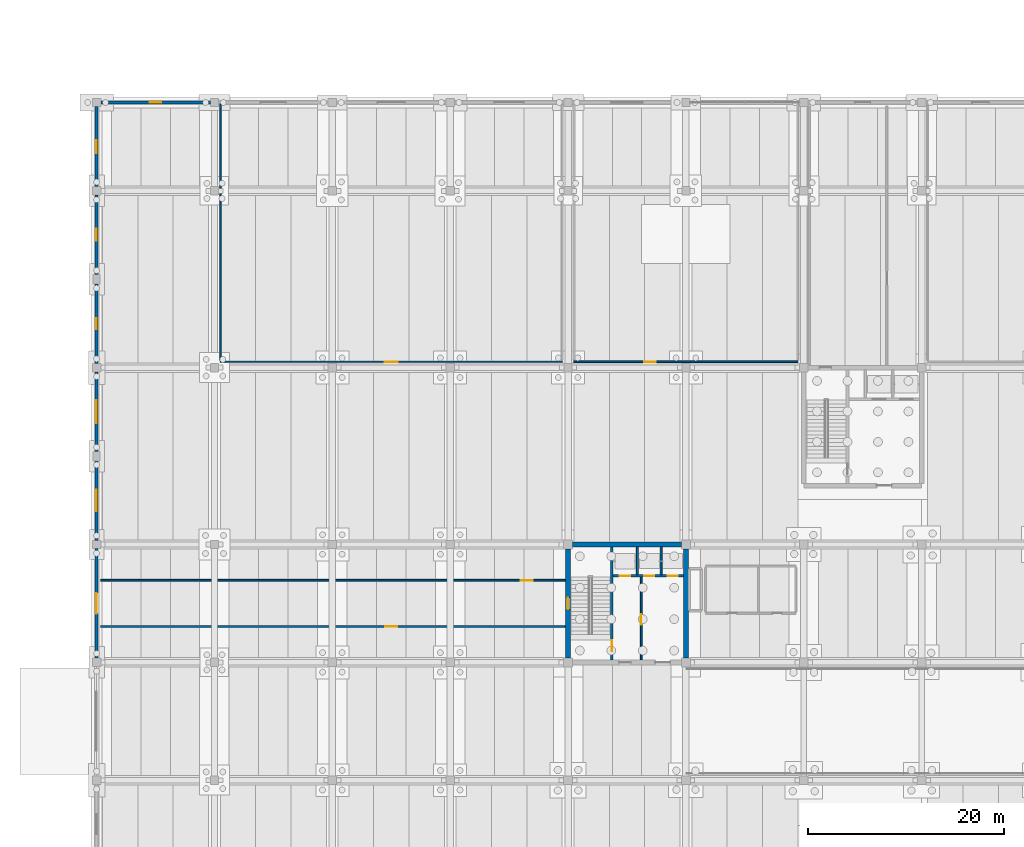
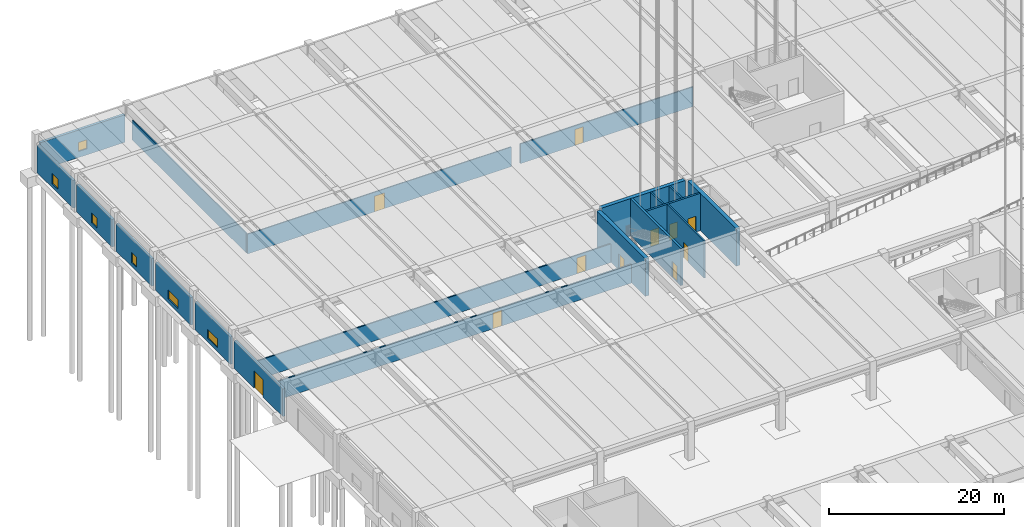
# One storey, part 27 of 59: 20 walls, 11 doors, 6 windows, 17 openings.
"""IFC4 building model written with IfcOpenShell, lengths in metres."""

from ifc_helpers import new_model, si_unit, direction, frame, frame_2d, origin, place, context, subcontext, project, spatial, rectangle, extrude, material, layer, layer_set, type_object, element, fill, save


model = new_model("IFC4")

# Units and contexts
model_context = context("Model", 3, precision=1e-05, world=origin(), true_north=direction((0.0, 1.0)))
body_context = subcontext(model_context, "Body", "Model", "MODEL_VIEW")
ifc_project = project(units=[si_unit("LENGTHUNIT", "METRE"), si_unit("AREAUNIT", "SQUARE_METRE"), si_unit("VOLUMEUNIT", "CUBIC_METRE"), si_unit("PLANEANGLEUNIT", "RADIAN"), si_unit("MASSUNIT", "GRAM", prefix="KILO")], contexts=[model_context])

# Site, building, storey
site_placement = place(None, origin())
site = spatial("IfcSite", under=ifc_project, at=site_placement, CompositionType="ELEMENT")
building_placement = place(site_placement, origin())
building = spatial("IfcBuilding", under=site, at=building_placement, Name="Girod Span Mobility Hub", CompositionType="ELEMENT")
storey_placement = place(building_placement, origin())
storey = spatial("IfcBuildingStorey", under=building, at=storey_placement, Name="L00", CompositionType="ELEMENT", Elevation=0.0)

# Wall
ifc_material_1 = material(Name="Concrete C40/50", Category="concrete")
ifc_layer_1 = layer(ifc_material_1, 0.5)
ifc_layer_set_1 = layer_set([ifc_layer_1], Name="Concrete C40/50")
wall_type_1 = type_object("IfcWallType", Name="W-CW-500", PredefinedType="SHEAR", material=ifc_layer_set_1)
wall_1_placement = place(storey_placement, frame((48.447021484375, 69.0, 0.0), z_axis=(0.0, 0.0, 1.0), x_axis=(1.0, 0.0, 0.0)))
element("IfcWall", 1, at=wall_1_placement, inside=storey, type_object=wall_type_1, Name="Core C1 Shear Wall N L00", PredefinedType="SHEAR", context=body_context, shape_type="SweptSolid", body=[
    extrude(rectangle(XDim=11.10595703125, YDim=0.5, at=frame_2d((5.552978515625, 0.0))), origin(), (0.0, 0.0, 1.0), 5.202880859375),
])

# Wall, opening, door
wall_2_placement = place(storey_placement, frame((48.0, 57.447021484375, 0.0), z_axis=(0.0, 0.0, 1.0), x_axis=(0.0, 1.0, 0.0)))
wall_2 = element("IfcWall", 2, at=wall_2_placement, inside=storey, type_object=wall_type_1, Name="Core C1 Shear Wall W L00", PredefinedType="SHEAR", context=body_context, shape_type="SweptSolid", body=[
    extrude(rectangle(XDim=11.10595703125, YDim=0.5, at=frame_2d((5.552978515625, 0.0))), origin(), (0.0, 0.0, 1.0), 5.202880859375),
])
opening_1_placement = place(wall_2_placement, frame((4.952880859375, 0.0, 0.0)))
opening_1 = element("IfcOpeningElement", 3, at=opening_1_placement, cuts=wall_2, Name="Opening D-ST1-DIS", PredefinedType="OPENING", context=body_context, shape_type="SweptSolid", body=[
    extrude(rectangle(XDim=1.199951171875, YDim=2.199951171875, at=frame_2d((0.60009765625, 1.10009765625))), frame((0.0, 0.264892578125, 0.0), z_axis=(0.0, -1.0, 0.0), x_axis=(1.0, 0.0, 0.0)), (0.0, 0.0, 1.0), 0.530029296875),
])
ifc_material_2 = material(Name="Fire-Rated Insulated Hollow Metal Steel", Category="steel")
door_type_1 = type_object("IfcDoorType", Name="DT-FD-05", OperationType="NOTDEFINED", PredefinedType="DOOR", material=ifc_material_2)
door_1_placement = place(opening_1_placement, origin())
door_1 = element("IfcDoor", 4, at=door_1_placement, inside=storey, type_object=door_type_1, Name="Stair ST-1 Ground Exit Passage Door", OperationType="SINGLE_SWING_LEFT", OverallHeight=2.199951171875, OverallWidth=1.199951171875, PredefinedType="DOOR", context=body_context, shape_type="SweptSolid", body=[
    extrude(rectangle(XDim=1.199951171875, YDim=2.199951171875, at=frame_2d((0.60009765625, 1.10009765625))), frame((0.0, 0.02490234375, 0.0), z_axis=(0.0, -1.0, 0.0), x_axis=(1.0, 0.0, 0.0)), (0.0, 0.0, 1.0), 0.050048828125),
])
fill(opening_1, door_1)

# Wall
wall_3_placement = place(storey_placement, frame((60.0, 57.447021484375, 0.0), z_axis=(0.0, 0.0, 1.0), x_axis=(0.0, 1.0, 0.0)))
element("IfcWall", 5, at=wall_3_placement, inside=storey, type_object=wall_type_1, Name="Core C1 Shear Wall E L00", PredefinedType="SHEAR", context=body_context, shape_type="SweptSolid", body=[
    extrude(rectangle(XDim=11.10595703125, YDim=0.5, at=frame_2d((5.552978515625, 0.0))), origin(), (0.0, 0.0, 1.0), 5.202880859375),
])

# Wall, opening, door
ifc_material_3 = material(Name="Precast Architectural Concrete C40/50", Category="concrete")
ifc_layer_2 = layer(ifc_material_3, 0.320068359375)
ifc_layer_set_2 = layer_set([ifc_layer_2], Name="Precast Architectural Concrete C40/50")
wall_type_2 = type_object("IfcWallType", Name="W-EXT-320", PredefinedType="SOLIDWALL", material=ifc_layer_set_2)
wall_4_placement = place(storey_placement, frame((0.0, 57.423095703125, 0.0), z_axis=(0.0, 0.0, 1.0), x_axis=(0.0, 1.0, 0.0)))
wall_4 = element("IfcWall", 6, at=wall_4_placement, inside=storey, type_object=wall_type_2, Name="Side Exterior Wall W-E-1 L00", PredefinedType="SOLIDWALL", context=body_context, shape_type="SweptSolid", body=[
    extrude(rectangle(XDim=11.15380859375, YDim=0.320068359375, at=frame_2d((5.576904296875, 0.0))), origin(), (0.0, 0.0, 1.0), 3.85009765625),
])
opening_2_placement = place(wall_4_placement, frame((4.537109375, 0.0, 0.0)))
opening_2 = element("IfcOpeningElement", 7, at=opening_2_placement, cuts=wall_4, Name="Opening D-L00-WP", PredefinedType="OPENING", context=body_context, shape_type="SweptSolid", body=[
    extrude(rectangle(XDim=2.080078125, YDim=2.43994140625, at=frame_2d((1.0400390625, 1.219970703125))), frame((0.0, 0.175048828125, 0.0), z_axis=(0.0, -1.0, 0.0), x_axis=(1.0, 0.0, 0.0)), (0.0, 0.0, 1.0), 0.35009765625),
])
ifc_material_4 = material(Name="Thermally Broken Anodised Aluminium", Category="aluminium")
door_type_2 = type_object("IfcDoorType", Name="DR-EXT-03", OperationType="DOUBLE_DOOR_SINGLE_SWING", PredefinedType="DOOR", material=ifc_material_4)
door_2_placement = place(opening_2_placement, origin())
door_2 = element("IfcDoor", 8, at=door_2_placement, inside=storey, type_object=door_type_2, Name="W Apron Concourse Exit Door", OperationType="DOUBLE_DOOR_SINGLE_SWING", OverallHeight=2.43994140625, OverallWidth=2.080078125, PredefinedType="DOOR", context=body_context, shape_type="SweptSolid", body=[
    extrude(rectangle(XDim=2.080078125, YDim=2.43994140625, at=frame_2d((1.0400390625, 1.219970703125))), frame((0.0, 0.02490234375, 0.0), z_axis=(0.0, -1.0, 0.0), x_axis=(1.0, 0.0, 0.0)), (0.0, 0.0, 1.0), 0.050048828125),
])
fill(opening_2, door_2)

# Wall, opening, window
wall_5_placement = place(storey_placement, frame((0.0, 69.423095703125, 0.0), z_axis=(0.0, 0.0, 1.0), x_axis=(0.0, 1.0, 0.0)))
wall_5 = element("IfcWall", 9, at=wall_5_placement, inside=storey, type_object=wall_type_2, Name="Side Exterior Wall W-F-1 L00", PredefinedType="SOLIDWALL", context=body_context, shape_type="SweptSolid", body=[
    extrude(rectangle(XDim=8.10400390625, YDim=0.320068359375, at=frame_2d((4.052001953125, 0.0))), origin(), (0.0, 0.0, 1.0), 3.85009765625),
])
opening_3_placement = place(wall_5_placement, frame((2.951904296875, 0.0, 0.550048828125)))
opening_3 = element("IfcOpeningElement", 10, at=opening_3_placement, cuts=wall_5, Name="Opening W-L00-W51", PredefinedType="OPENING", context=body_context, shape_type="SweptSolid", body=[
    extrude(rectangle(XDim=2.199951171875, YDim=1.25, at=frame_2d((1.10009765625, 0.625))), frame((0.0, 0.175048828125, 0.0), z_axis=(0.0, -1.0, 0.0), x_axis=(1.0, 0.0, 0.0)), (0.0, 0.0, 1.0), 0.35009765625),
])
ifc_material_5 = material(Name="Double Low-E Insulated Glazing", Category="glass")
window_type_1 = type_object("IfcWindowType", Name="WN-09", PartitioningType="DOUBLE_PANEL_VERTICAL", PredefinedType="WINDOW", material=ifc_material_5)
window_1_placement = place(opening_3_placement, origin())
window_1 = element("IfcWindow", 11, at=window_1_placement, inside=storey, type_object=window_type_1, Name="Side Facade Window WN-09", OverallHeight=1.25, OverallWidth=2.199951171875, PartitioningType="DOUBLE_PANEL_VERTICAL", PredefinedType="WINDOW", context=body_context, shape_type="SweptSolid", body=[
    extrude(rectangle(XDim=2.199951171875, YDim=1.25, at=frame_2d((1.10009765625, 0.625))), frame((0.0, 0.030029296875, 0.0), z_axis=(0.0, -1.0, 0.0), x_axis=(1.0, 0.0, 0.0)), (0.0, 0.0, 1.0), 0.06005859375),
])
fill(opening_3, window_1)

wall_6_placement = place(storey_placement, frame((0.0, 78.472900390625, 0.0), z_axis=(0.0, 0.0, 1.0), x_axis=(0.0, 1.0, 0.0)))
wall_6 = element("IfcWall", 12, at=wall_6_placement, inside=storey, type_object=wall_type_2, Name="Side Exterior Wall W-F-2 L00", PredefinedType="SOLIDWALL", context=body_context, shape_type="SweptSolid", body=[
    extrude(rectangle(XDim=8.10400390625, YDim=0.320068359375, at=frame_2d((4.052001953125, 0.0))), origin(), (0.0, 0.0, 1.0), 3.85009765625),
])
opening_4_placement = place(wall_6_placement, frame((2.876953125, 0.0, 0.550048828125)))
opening_4 = element("IfcOpeningElement", 13, at=opening_4_placement, cuts=wall_6, Name="Opening W-L00-W52", PredefinedType="OPENING", context=body_context, shape_type="SweptSolid", body=[
    extrude(rectangle(XDim=2.35009765625, YDim=1.25, at=frame_2d((1.175048828125, 0.625))), frame((0.0, 0.175048828125, 0.0), z_axis=(0.0, -1.0, 0.0), x_axis=(1.0, 0.0, 0.0)), (0.0, 0.0, 1.0), 0.35009765625),
])
ifc_material_6 = material(Name="Double Low-E Insulated Glazing", Category="glass")
window_type_2 = type_object("IfcWindowType", Name="WN-10", PartitioningType="DOUBLE_PANEL_VERTICAL", PredefinedType="WINDOW", material=ifc_material_6)
window_2_placement = place(opening_4_placement, origin())
window_2 = element("IfcWindow", 14, at=window_2_placement, inside=storey, type_object=window_type_2, Name="Side Facade Window WN-10", OverallHeight=1.25, OverallWidth=2.35009765625, PartitioningType="DOUBLE_PANEL_VERTICAL", PredefinedType="WINDOW", context=body_context, shape_type="SweptSolid", body=[
    extrude(rectangle(XDim=2.35009765625, YDim=1.25, at=frame_2d((1.175048828125, 0.625))), frame((0.0, 0.030029296875, 0.0), z_axis=(0.0, -1.0, 0.0), x_axis=(1.0, 0.0, 0.0)), (0.0, 0.0, 1.0), 0.06005859375),
])
fill(opening_4, window_2)

wall_7_placement = place(storey_placement, frame((0.0, 87.423095703125, 0.0), z_axis=(0.0, 0.0, 1.0), x_axis=(0.0, 1.0, 0.0)))
wall_7 = element("IfcWall", 15, at=wall_7_placement, inside=storey, type_object=wall_type_2, Name="Side Exterior Wall W-G-1 L00", PredefinedType="SOLIDWALL", context=body_context, shape_type="SweptSolid", body=[
    extrude(rectangle(XDim=8.10400390625, YDim=0.320068359375, at=frame_2d((4.052001953125, 0.0))), origin(), (0.0, 0.0, 1.0), 3.85009765625),
])
opening_5_placement = place(wall_7_placement, frame((3.501953125, 0.0, 0.550048828125)))
opening_5 = element("IfcOpeningElement", 16, at=opening_5_placement, cuts=wall_7, Name="Opening W-L00-W61", PredefinedType="OPENING", context=body_context, shape_type="SweptSolid", body=[
    extrude(rectangle(XDim=1.10009765625, YDim=1.419921875, at=frame_2d((0.550048828125, 0.7099609375))), frame((0.0, 0.175048828125, 0.0), z_axis=(0.0, -1.0, 0.0), x_axis=(1.0, 0.0, 0.0)), (0.0, 0.0, 1.0), 0.35009765625),
])
ifc_material_7 = material(Name="Double Low-E Insulated Glazing", Category="glass")
window_type_3 = type_object("IfcWindowType", Name="WN-11", PartitioningType="SINGLE_PANEL", PredefinedType="WINDOW", material=ifc_material_7)
window_3_placement = place(opening_5_placement, origin())
window_3 = element("IfcWindow", 17, at=window_3_placement, inside=storey, type_object=window_type_3, Name="Side Facade Window WN-11", OverallHeight=1.419921875, OverallWidth=1.10009765625, PartitioningType="SINGLE_PANEL", PredefinedType="WINDOW", context=body_context, shape_type="SweptSolid", body=[
    extrude(rectangle(XDim=1.10009765625, YDim=1.419921875, at=frame_2d((0.550048828125, 0.7099609375))), frame((0.0, 0.030029296875, 0.0), z_axis=(0.0, -1.0, 0.0), x_axis=(1.0, 0.0, 0.0)), (0.0, 0.0, 1.0), 0.06005859375),
])
fill(opening_5, window_3)

wall_8_placement = place(storey_placement, frame((0.0, 96.472900390625, 0.0), z_axis=(0.0, 0.0, 1.0), x_axis=(0.0, 1.0, 0.0)))
wall_8 = element("IfcWall", 18, at=wall_8_placement, inside=storey, type_object=wall_type_2, Name="Side Exterior Wall W-G-2 L00", PredefinedType="SOLIDWALL", context=body_context, shape_type="SweptSolid", body=[
    extrude(rectangle(XDim=8.10400390625, YDim=0.320068359375, at=frame_2d((4.052001953125, 0.0))), origin(), (0.0, 0.0, 1.0), 3.85009765625),
])
opening_6_placement = place(wall_8_placement, frame((3.44189453125, 0.0, 0.550048828125)))
opening_6 = element("IfcOpeningElement", 19, at=opening_6_placement, cuts=wall_8, Name="Opening W-L00-W62", PredefinedType="OPENING", context=body_context, shape_type="SweptSolid", body=[
    extrude(rectangle(XDim=1.219970703125, YDim=1.419921875, at=frame_2d((0.60986328125, 0.7099609375))), frame((0.0, 0.175048828125, 0.0), z_axis=(0.0, -1.0, 0.0), x_axis=(1.0, 0.0, 0.0)), (0.0, 0.0, 1.0), 0.35009765625),
])
ifc_material_8 = material(Name="Double Low-E Insulated Glazing", Category="glass")
window_type_4 = type_object("IfcWindowType", Name="WN-12", PartitioningType="SINGLE_PANEL", PredefinedType="WINDOW", material=ifc_material_8)
window_4_placement = place(opening_6_placement, origin())
window_4 = element("IfcWindow", 20, at=window_4_placement, inside=storey, type_object=window_type_4, Name="Side Facade Window WN-12", OverallHeight=1.419921875, OverallWidth=1.219970703125, PartitioningType="SINGLE_PANEL", PredefinedType="WINDOW", context=body_context, shape_type="SweptSolid", body=[
    extrude(rectangle(XDim=1.219970703125, YDim=1.419921875, at=frame_2d((0.60986328125, 0.7099609375))), frame((0.0, 0.030029296875, 0.0), z_axis=(0.0, -1.0, 0.0), x_axis=(1.0, 0.0, 0.0)), (0.0, 0.0, 1.0), 0.06005859375),
])
fill(opening_6, window_4)

wall_9_placement = place(storey_placement, frame((0.0, 105.423095703125, 0.0), z_axis=(0.0, 0.0, 1.0), x_axis=(0.0, 1.0, 0.0)))
wall_9 = element("IfcWall", 21, at=wall_9_placement, inside=storey, type_object=wall_type_2, Name="Side Exterior Wall W-H-1 L00", PredefinedType="SOLIDWALL", context=body_context, shape_type="SweptSolid", body=[
    extrude(rectangle(XDim=8.15380859375, YDim=0.320068359375, at=frame_2d((4.076904296875, 0.0))), origin(), (0.0, 0.0, 1.0), 3.85009765625),
])
opening_7_placement = place(wall_9_placement, frame((3.39697265625, 0.0, 0.550048828125)))
opening_7 = element("IfcOpeningElement", 22, at=opening_7_placement, cuts=wall_9, Name="Opening W-L00-W71", PredefinedType="OPENING", context=body_context, shape_type="SweptSolid", body=[
    extrude(rectangle(XDim=1.360107421875, YDim=1.419921875, at=frame_2d((0.68017578125, 0.7099609375))), frame((0.0, 0.175048828125, 0.0), z_axis=(0.0, -1.0, 0.0), x_axis=(1.0, 0.0, 0.0)), (0.0, 0.0, 1.0), 0.35009765625),
])
ifc_material_9 = material(Name="Double Low-E Insulated Glazing", Category="glass")
window_type_5 = type_object("IfcWindowType", Name="WN-13", PartitioningType="SINGLE_PANEL", PredefinedType="WINDOW", material=ifc_material_9)
window_5_placement = place(opening_7_placement, origin())
window_5 = element("IfcWindow", 23, at=window_5_placement, inside=storey, type_object=window_type_5, Name="Side Facade Window WN-13", OverallHeight=1.419921875, OverallWidth=1.360107421875, PartitioningType="SINGLE_PANEL", PredefinedType="WINDOW", context=body_context, shape_type="SweptSolid", body=[
    extrude(rectangle(XDim=1.360107421875, YDim=1.419921875, at=frame_2d((0.68017578125, 0.7099609375))), frame((0.0, 0.030029296875, 0.0), z_axis=(0.0, -1.0, 0.0), x_axis=(1.0, 0.0, 0.0)), (0.0, 0.0, 1.0), 0.06005859375),
])
fill(opening_7, window_5)

ifc_material_10 = material(Name="Precast Architectural Concrete C40/50", Category="concrete")
ifc_layer_3 = layer(ifc_material_10, 0.340087890625)
ifc_layer_set_3 = layer_set([ifc_layer_3], Name="Precast Architectural Concrete C40/50")
wall_type_3 = type_object("IfcWallType", Name="W-EXT-340", PredefinedType="SOLIDWALL", material=ifc_layer_set_3)
wall_10_placement = place(storey_placement, frame((0.423095703125, 114.0, 0.0), z_axis=(0.0, 0.0, 1.0), x_axis=(1.0, 0.0, 0.0)))
wall_10 = element("IfcWall", 24, at=wall_10_placement, inside=storey, type_object=wall_type_3, Name="Exterior Insulated Precast Wall N-1 L00", PredefinedType="SOLIDWALL", context=body_context, shape_type="SweptSolid", body=[
    extrude(rectangle(XDim=11.15380859375, YDim=0.340087890625, at=frame_2d((5.576904296875, 0.0))), origin(), (0.0, 0.0, 1.0), 3.85009765625),
])
opening_8_placement = place(wall_10_placement, frame((5.001953125, 0.0, 0.85009765625)))
opening_8 = element("IfcOpeningElement", 25, at=opening_8_placement, cuts=wall_10, Name="Opening W-L00-N00", PredefinedType="OPENING", context=body_context, shape_type="SweptSolid", body=[
    extrude(rectangle(XDim=1.14990234375, YDim=1.25, at=frame_2d((0.574951171875, 0.625))), frame((0.0, 0.18505859375, 0.0), z_axis=(0.0, -1.0, 0.0), x_axis=(1.0, 0.0, 0.0)), (0.0, 0.0, 1.0), 0.3701171875),
])
ifc_material_11 = material(Name="Double Low-E Insulated Glazing", Category="glass")
window_type_6 = type_object("IfcWindowType", Name="WN-02", PartitioningType="SINGLE_PANEL", PredefinedType="WINDOW", material=ifc_material_11)
window_6_placement = place(opening_8_placement, origin())
window_6 = element("IfcWindow", 26, at=window_6_placement, inside=storey, type_object=window_type_6, Name="Concourse Window WN-02", OverallHeight=1.25, OverallWidth=1.14990234375, PartitioningType="SINGLE_PANEL", PredefinedType="WINDOW", context=body_context, shape_type="SweptSolid", body=[
    extrude(rectangle(XDim=1.14990234375, YDim=1.25, at=frame_2d((0.574951171875, 0.625))), frame((0.0, 0.030029296875, 0.0), z_axis=(0.0, -1.0, 0.0), x_axis=(1.0, 0.0, 0.0)), (0.0, 0.0, 1.0), 0.06005859375),
])
fill(opening_8, window_6)

# Wall, opening, door
ifc_material_12 = material(Name="Concrete C40/50", Category="concrete")
ifc_layer_4 = layer(ifc_material_12, 0.18994140625)
ifc_layer_set_4 = layer_set([ifc_layer_4], Name="Concrete C40/50")
wall_type_4 = type_object("IfcWallType", Name="W-FL-190", PredefinedType="SOLIDWALL", material=ifc_layer_set_4)
wall_11_placement = place(storey_placement, frame((55.449951171875, 57.25, 0.0), z_axis=(0.0, 0.0, 1.0), x_axis=(0.0, 1.0, 0.0)))
wall_11 = element("IfcWall", 27, at=wall_11_placement, inside=storey, type_object=wall_type_4, Name="Core C1 Firefighting Lobby Wall L00", PredefinedType="SOLIDWALL", context=body_context, shape_type="SweptSolid", body=[
    extrude(rectangle(XDim=8.429931640625, YDim=0.18994140625, at=frame_2d((4.21484375, 0.0))), origin(), (0.0, 0.0, 1.0), 5.193115234375),
])
opening_9_placement = place(wall_11_placement, frame((3.60009765625, 0.0, 0.0)))
opening_9 = element("IfcOpeningElement", 28, at=opening_9_placement, cuts=wall_11, Name="Opening D-FLX-C1-L00", PredefinedType="OPENING", context=body_context, shape_type="SweptSolid", body=[
    extrude(rectangle(XDim=1.0400390625, YDim=2.179931640625, at=frame_2d((0.52001953125, 1.08984375))), frame((0.0, 0.10986328125, 0.0), z_axis=(0.0, -1.0, 0.0), x_axis=(1.0, 0.0, 0.0)), (0.0, 0.0, 1.0), 0.219970703125),
])
ifc_material_13 = material(Name="Fire-Rated Insulated Hollow Metal Steel", Category="steel")
door_type_3 = type_object("IfcDoorType", Name="DT-FD-02", OperationType="NOTDEFINED", PredefinedType="DOOR", material=ifc_material_13)
door_3_placement = place(opening_9_placement, origin())
door_3 = element("IfcDoor", 29, at=door_3_placement, inside=storey, type_object=door_type_3, Name="Firefighting Lobby Interconnect Door C1 L00", OperationType="SINGLE_SWING_RIGHT", OverallHeight=2.179931640625, OverallWidth=1.0400390625, PredefinedType="DOOR", context=body_context, shape_type="SweptSolid", body=[
    extrude(rectangle(XDim=1.0400390625, YDim=2.179931640625, at=frame_2d((0.52001953125, 1.08984375))), frame((0.0, 0.02490234375, 0.0), z_axis=(0.0, -1.0, 0.0), x_axis=(1.0, 0.0, 0.0)), (0.0, 0.0, 1.0), 0.050048828125),
])
fill(opening_9, door_3)

ifc_material_14 = material(Name="Fire-Rated Gypsum Board on Metal Studs", Category="gypsum")
ifc_layer_5 = layer(ifc_material_14, 0.1650390625)
ifc_layer_set_5 = layer_set([ifc_layer_5], Name="Fire-Rated Gypsum Board on Metal Studs")
wall_type_5 = type_object("IfcWallType", Name="W-FP-165", PredefinedType="PARTITIONING", material=ifc_layer_set_5)
wall_12_placement = place(storey_placement, frame((48.60009765625, 87.60009765625, 0.0), z_axis=(0.0, 0.0, 1.0), x_axis=(1.0, 0.0, 0.0)))
wall_12 = element("IfcWall", 30, at=wall_12_placement, inside=storey, type_object=wall_type_5, Name="Bicycle Repair Shop Partition S", PredefinedType="PARTITIONING", context=body_context, shape_type="SweptSolid", body=[
    extrude(rectangle(XDim=22.7998046875, YDim=0.1650390625, at=frame_2d((11.39990234375, 0.0))), origin(), (0.0, 0.0, 1.0), 2.75),
])
opening_10_placement = place(wall_12_placement, frame((7.181884765625, 0.0, 0.0)))
opening_10 = element("IfcOpeningElement", 31, at=opening_10_placement, cuts=wall_12, Name="Opening D-L00-BIKE-RP", PredefinedType="OPENING", context=body_context, shape_type="SweptSolid", body=[
    extrude(rectangle(XDim=1.139892578125, YDim=2.239990234375, at=frame_2d((0.56982421875, 1.1201171875))), frame((0.0, 0.097412109375, 0.0), z_axis=(0.0, -1.0, 0.0), x_axis=(1.0, 0.0, 0.0)), (0.0, 0.0, 1.0), 0.195068359375),
])
ifc_material_15 = material(Name="Fire-Rated Insulated Hollow Metal Steel", Category="steel")
door_type_4 = type_object("IfcDoorType", Name="DT-FD-07", OperationType="NOTDEFINED", PredefinedType="DOOR", material=ifc_material_15)
door_4_placement = place(opening_10_placement, origin())
door_4 = element("IfcDoor", 32, at=door_4_placement, inside=storey, type_object=door_type_4, Name="Bicycle Repair Shop Door", OperationType="SINGLE_SWING_LEFT", OverallHeight=2.239990234375, OverallWidth=1.139892578125, PredefinedType="DOOR", context=body_context, shape_type="SweptSolid", body=[
    extrude(rectangle(XDim=1.139892578125, YDim=2.239990234375, at=frame_2d((0.56982421875, 1.1201171875))), frame((0.0, 0.02490234375, 0.0), z_axis=(0.0, -1.0, 0.0), x_axis=(1.0, 0.0, 0.0)), (0.0, 0.0, 1.0), 0.050048828125),
])
fill(opening_10, door_4)

ifc_material_16 = material(Name="Reinforced Concrete Masonry Block", Category="masonry")
ifc_layer_6 = layer(ifc_material_16, 0.179931640625)
ifc_layer_set_6 = layer_set([ifc_layer_6], Name="Reinforced Concrete Masonry Block")
wall_type_6 = type_object("IfcWallType", Name="W-FP-180", PredefinedType="SOLIDWALL", material=ifc_layer_set_6)
wall_13_placement = place(storey_placement, frame((0.39990234375, 60.64990234375, 0.0), z_axis=(0.0, 0.0, 1.0), x_axis=(1.0, 0.0, 0.0)))
wall_13 = element("IfcWall", 33, at=wall_13_placement, inside=storey, type_object=wall_type_6, Name="Exit Passage ST-1 South Wall", PredefinedType="SOLIDWALL", context=body_context, shape_type="SweptSolid", body=[
    extrude(rectangle(XDim=47.300048828125, YDim=0.179931640625, at=frame_2d((23.64990234375, 0.0))), origin(), (0.0, 0.0, 1.0), 2.60009765625),
])
opening_11_placement = place(wall_13_placement, frame((29.0, 0.0, 0.0)))
opening_11 = element("IfcOpeningElement", 34, at=opening_11_placement, cuts=wall_13, Name="Opening D-EP1-S", PredefinedType="OPENING", context=body_context, shape_type="SweptSolid", body=[
    extrude(rectangle(XDim=1.199951171875, YDim=2.199951171875, at=frame_2d((0.60009765625, 1.10009765625))), frame((0.0, 0.10498046875, 0.0), z_axis=(0.0, -1.0, 0.0), x_axis=(1.0, 0.0, 0.0)), (0.0, 0.0, 1.0), 0.2099609375),
])
door_5_placement = place(opening_11_placement, origin())
door_5 = element("IfcDoor", 35, at=door_5_placement, inside=storey, type_object=door_type_1, Name="Exit Passage ST-1 Concourse Access Door", OperationType="SINGLE_SWING_LEFT", OverallHeight=2.199951171875, OverallWidth=1.199951171875, PredefinedType="DOOR", context=body_context, shape_type="SweptSolid", body=[
    extrude(rectangle(XDim=1.199951171875, YDim=2.199951171875, at=frame_2d((0.60009765625, 1.10009765625))), frame((0.0, 0.02490234375, 0.0), z_axis=(0.0, -1.0, 0.0), x_axis=(1.0, 0.0, 0.0)), (0.0, 0.0, 1.0), 0.050048828125),
])
fill(opening_11, door_5)

wall_14_placement = place(storey_placement, frame((0.39990234375, 65.35009765625, 0.0), z_axis=(0.0, 0.0, 1.0), x_axis=(1.0, 0.0, 0.0)))
wall_14 = element("IfcWall", 36, at=wall_14_placement, inside=storey, type_object=wall_type_6, Name="Exit Passage ST-1 North Wall", PredefinedType="SOLIDWALL", context=body_context, shape_type="SweptSolid", body=[
    extrude(rectangle(XDim=47.300048828125, YDim=0.179931640625, at=frame_2d((23.64990234375, 0.0))), origin(), (0.0, 0.0, 1.0), 2.60009765625),
])
opening_12_placement = place(wall_14_placement, frame((42.800048828125, 0.0, 0.0)))
opening_12 = element("IfcOpeningElement", 37, at=opening_12_placement, cuts=wall_14, Name="Opening D-EP1-N", PredefinedType="OPENING", context=body_context, shape_type="SweptSolid", body=[
    extrude(rectangle(XDim=1.199951171875, YDim=2.199951171875, at=frame_2d((0.60009765625, 1.10009765625))), frame((0.0, 0.10498046875, 0.0), z_axis=(0.0, -1.0, 0.0), x_axis=(1.0, 0.0, 0.0)), (0.0, 0.0, 1.0), 0.2099609375),
])
door_6_placement = place(opening_12_placement, frame((1.199951171875, 0.0, 0.0), z_axis=(0.0, 0.0, 1.0), x_axis=(-1.0, 0.0, 0.0)))
door_6 = element("IfcDoor", 38, at=door_6_placement, inside=storey, type_object=door_type_1, Name="Exit Passage ST-1 North Link Door", OperationType="SINGLE_SWING_RIGHT", OverallHeight=2.199951171875, OverallWidth=1.199951171875, PredefinedType="DOOR", context=body_context, shape_type="SweptSolid", body=[
    extrude(rectangle(XDim=1.199951171875, YDim=2.199951171875, at=frame_2d((0.60009765625, 1.10009765625))), frame((0.0, 0.02490234375, 0.0), z_axis=(0.0, -1.0, 0.0), x_axis=(1.0, 0.0, 0.0)), (0.0, 0.0, 1.0), 0.050048828125),
])
fill(opening_12, door_6)

ifc_material_17 = material(Name="Fire-Rated Gypsum Board on Metal Studs", Category="gypsum")
ifc_layer_7 = layer(ifc_material_17, 0.139892578125)
ifc_layer_set_7 = layer_set([ifc_layer_7], Name="Fire-Rated Gypsum Board on Metal Studs")
wall_type_7 = type_object("IfcWallType", Name="W-PT-140", PredefinedType="PARTITIONING", material=ifc_layer_set_7)
wall_15_placement = place(storey_placement, frame((12.60009765625, 87.60009765625, 0.0), z_axis=(0.0, 0.0, 1.0), x_axis=(1.0, 0.0, 0.0)))
wall_15 = element("IfcWall", 39, at=wall_15_placement, inside=storey, type_object=wall_type_7, Name="Bicycle Store Partition S", PredefinedType="PARTITIONING", context=body_context, shape_type="SweptSolid", body=[
    extrude(rectangle(XDim=34.7998046875, YDim=0.139892578125, at=frame_2d((17.39990234375, 0.0))), origin(), (0.0, 0.0, 1.0), 2.75),
])
opening_13_placement = place(wall_15_placement, frame((16.735107421875, 0.0, 0.0)))
opening_13 = element("IfcOpeningElement", 40, at=opening_13_placement, cuts=wall_15, Name="Opening D-L00-BIKE-ST", PredefinedType="OPENING", context=body_context, shape_type="SweptSolid", body=[
    extrude(rectangle(XDim=1.330078125, YDim=2.199951171875, at=frame_2d((0.6650390625, 1.10009765625))), frame((0.0, 0.0849609375, 0.0), z_axis=(0.0, -1.0, 0.0), x_axis=(1.0, 0.0, 0.0)), (0.0, 0.0, 1.0), 0.169921875),
])
ifc_material_18 = material(Name="Solid-Core Architectural Timber", Category="wood")
door_type_5 = type_object("IfcDoorType", Name="DT-NR-10", OperationType="DOUBLE_DOOR_SINGLE_SWING", PredefinedType="DOOR", material=ifc_material_18)
door_7_placement = place(opening_13_placement, origin())
door_7 = element("IfcDoor", 41, at=door_7_placement, inside=storey, type_object=door_type_5, Name="Bicycle Store Door", OperationType="DOUBLE_DOOR_SINGLE_SWING", OverallHeight=2.199951171875, OverallWidth=1.330078125, PredefinedType="DOOR", context=body_context, shape_type="SweptSolid", body=[
    extrude(rectangle(XDim=1.330078125, YDim=2.199951171875, at=frame_2d((0.6650390625, 1.10009765625))), frame((0.0, 0.02490234375, 0.0), z_axis=(0.0, -1.0, 0.0), x_axis=(1.0, 0.0, 0.0)), (0.0, 0.0, 1.0), 0.050048828125),
])
fill(opening_13, door_7)

# Walls
wall_16_placement = place(storey_placement, frame((12.60009765625, 87.760009765625, 0.0), z_axis=(0.0, 0.0, 1.0), x_axis=(0.0, 1.0, 0.0)))
element("IfcWall", 42, at=wall_16_placement, inside=storey, type_object=wall_type_7, Name="Bicycle Store Partition W", PredefinedType="PARTITIONING", context=body_context, shape_type="SweptSolid", body=[
    extrude(rectangle(XDim=26.10009765625, YDim=0.139892578125, at=frame_2d((13.050048828125, 0.0))), origin(), (0.0, 0.0, 1.0), 2.75),
])
ifc_material_19 = material(Name="Concrete C40/50", Category="concrete")
ifc_layer_8 = layer(ifc_material_19, 0.199951171875)
ifc_layer_set_8 = layer_set([ifc_layer_8], Name="Concrete C40/50")
wall_type_8 = type_object("IfcWallType", Name="W-SH-200", PredefinedType="SOLIDWALL", material=ifc_layer_set_8)
for number, where, z_axis, x_axis, name in (
    (43, (55.050048828125, 65.919921875, 0.0), (0.0, 0.0, 1.0), (0.0, 1.0, 0.0), "Core C1 Shaft Divider 1 L00"),
    (44, (57.47998046875, 65.919921875, 0.0), (0.0, 0.0, 1.0), (0.0, 1.0, 0.0), "Core C1 Shaft Divider 2 L00"),
):
    element("IfcWall", number, at=place(storey_placement, frame(where, z_axis=z_axis, x_axis=x_axis)), inside=storey, type_object=wall_type_8, Name=name, PredefinedType="SOLIDWALL", context=body_context, shape_type="SweptSolid", body=[
        extrude(rectangle(XDim=2.830078125, YDim=0.199951171875, at=frame_2d((1.4150390625, 0.0))), origin(), (0.0, 0.0, 1.0), 5.193115234375),
    ])

# Wall, openings, doors
ifc_material_20 = material(Name="Concrete C40/50", Category="concrete")
ifc_layer_9 = layer(ifc_material_20, 0.25)
ifc_layer_set_9 = layer_set([ifc_layer_9], Name="Concrete C40/50")
wall_type_9 = type_object("IfcWallType", Name="W-SH-250", PredefinedType="SOLIDWALL", material=ifc_layer_set_9)
wall_17_placement = place(storey_placement, frame((52.596923828125, 65.800048828125, 0.0), z_axis=(0.0, 0.0, 1.0), x_axis=(1.0, 0.0, 0.0)))
wall_17 = element("IfcWall", 45, at=wall_17_placement, inside=storey, type_object=wall_type_9, Name="Core C1 Hoistway Front Wall L00", PredefinedType="SOLIDWALL", context=body_context, shape_type="SweptSolid", body=[
    extrude(rectangle(XDim=7.156005859375, YDim=0.25, at=frame_2d((3.578125, 0.0))), origin(), (0.0, 0.0, 1.0), 5.202880859375),
])
opening_14_placement = place(wall_17_placement, frame((0.653076171875, 0.0, 0.0)))
opening_14 = element("IfcOpeningElement", 46, at=opening_14_placement, cuts=wall_17, Name="Opening LD-FL-1-L00", PredefinedType="OPENING", context=body_context, shape_type="SweptSolid", body=[
    extrude(rectangle(XDim=1.10009765625, YDim=2.239990234375, at=frame_2d((0.550048828125, 1.1201171875))), frame((0.0, 0.139892578125, 0.0), z_axis=(0.0, -1.0, 0.0), x_axis=(1.0, 0.0, 0.0)), (0.0, 0.0, 1.0), 0.280029296875),
])
opening_15_placement = place(wall_17_placement, frame((3.153076171875, 0.0, 0.0)))
opening_15 = element("IfcOpeningElement", 47, at=opening_15_placement, cuts=wall_17, Name="Opening LD-LP-1-L00", PredefinedType="OPENING", context=body_context, shape_type="SweptSolid", body=[
    extrude(rectangle(XDim=1.050048828125, YDim=2.199951171875, at=frame_2d((0.52490234375, 1.10009765625))), frame((0.0, 0.139892578125, 0.0), z_axis=(0.0, -1.0, 0.0), x_axis=(1.0, 0.0, 0.0)), (0.0, 0.0, 1.0), 0.280029296875),
])
opening_16_placement = place(wall_17_placement, frame((5.528076171875, 0.0, 0.0)))
opening_16 = element("IfcOpeningElement", 48, at=opening_16_placement, cuts=wall_17, Name="Opening LD-LP-2-L00", PredefinedType="OPENING", context=body_context, shape_type="SweptSolid", body=[
    extrude(rectangle(XDim=1.050048828125, YDim=2.199951171875, at=frame_2d((0.52490234375, 1.10009765625))), frame((0.0, 0.139892578125, 0.0), z_axis=(0.0, -1.0, 0.0), x_axis=(1.0, 0.0, 0.0)), (0.0, 0.0, 1.0), 0.280029296875),
])
ifc_material_21 = material(Name="Brushed Stainless Steel Grade 304", Category="steel")
door_type_6 = type_object("IfcDoorType", Name="LD-FL-110", OperationType="SLIDING_TO_LEFT", PredefinedType="USERDEFINED", material=ifc_material_21)
door_8_placement = place(opening_14_placement, origin())
door_8 = element("IfcDoor", 49, at=door_8_placement, inside=storey, type_object=door_type_6, Name="Lift FL-1 Sliding Landing Door L00", ObjectType="LANDING DOOR", OperationType="SLIDING_TO_LEFT", OverallHeight=2.239990234375, OverallWidth=1.10009765625, PredefinedType="USERDEFINED", context=body_context, shape_type="SweptSolid", body=[
    extrude(rectangle(XDim=1.10009765625, YDim=2.239990234375, at=frame_2d((0.550048828125, 1.1201171875))), frame((0.0, 0.02490234375, 0.0), z_axis=(0.0, -1.0, 0.0), x_axis=(1.0, 0.0, 0.0)), (0.0, 0.0, 1.0), 0.050048828125),
])
fill(opening_14, door_8)
ifc_material_22 = material(Name="Brushed Stainless Steel Grade 304", Category="steel")
door_type_7 = type_object("IfcDoorType", Name="LD-LP-105", OperationType="SLIDING_TO_LEFT", PredefinedType="USERDEFINED", material=ifc_material_22)
door_9_placement = place(opening_15_placement, origin())
door_9 = element("IfcDoor", 50, at=door_9_placement, inside=storey, type_object=door_type_7, Name="Lift LP-1 Sliding Landing Door L00", ObjectType="LANDING DOOR", OperationType="SLIDING_TO_LEFT", OverallHeight=2.199951171875, OverallWidth=1.050048828125, PredefinedType="USERDEFINED", context=body_context, shape_type="SweptSolid", body=[
    extrude(rectangle(XDim=1.050048828125, YDim=2.199951171875, at=frame_2d((0.52490234375, 1.10009765625))), frame((0.0, 0.02490234375, 0.0), z_axis=(0.0, -1.0, 0.0), x_axis=(1.0, 0.0, 0.0)), (0.0, 0.0, 1.0), 0.050048828125),
])
fill(opening_15, door_9)
door_10_placement = place(opening_16_placement, origin())
door_10 = element("IfcDoor", 51, at=door_10_placement, inside=storey, type_object=door_type_7, Name="Lift LP-2 Sliding Landing Door L00", ObjectType="LANDING DOOR", OperationType="SLIDING_TO_LEFT", OverallHeight=2.199951171875, OverallWidth=1.050048828125, PredefinedType="USERDEFINED", context=body_context, shape_type="SweptSolid", body=[
    extrude(rectangle(XDim=1.050048828125, YDim=2.199951171875, at=frame_2d((0.52490234375, 1.10009765625))), frame((0.0, 0.02490234375, 0.0), z_axis=(0.0, -1.0, 0.0), x_axis=(1.0, 0.0, 0.0)), (0.0, 0.0, 1.0), 0.050048828125),
])
fill(opening_16, door_10)

# Wall, opening, door
ifc_material_23 = material(Name="Concrete C40/50", Category="concrete")
ifc_layer_10 = layer(ifc_material_23, 0.300048828125)
ifc_layer_set_10 = layer_set([ifc_layer_10], Name="Concrete C40/50")
wall_type_10 = type_object("IfcWallType", Name="W-SH-300", PredefinedType="SHEAR", material=ifc_layer_set_10)
wall_18_placement = place(storey_placement, frame((52.449951171875, 57.2470703125, 0.0), z_axis=(0.0, 0.0, 1.0), x_axis=(0.0, 1.0, 0.0)))
wall_18 = element("IfcWall", 52, at=wall_18_placement, inside=storey, type_object=wall_type_10, Name="Core C1 Stairwell Spine Wall L00", PredefinedType="SHEAR", context=body_context, shape_type="SweptSolid", body=[
    extrude(rectangle(XDim=11.505859375, YDim=0.300048828125, at=frame_2d((5.7529296875, 0.0))), origin(), (0.0, 0.0, 1.0), 5.202880859375),
])
opening_17_placement = place(wall_18_placement, frame((0.89990234375, 0.0, 0.0)))
opening_17 = element("IfcOpeningElement", 53, at=opening_17_placement, cuts=wall_18, Name="Opening D-ST-1-L00", PredefinedType="OPENING", context=body_context, shape_type="SweptSolid", body=[
    extrude(rectangle(XDim=1.10009765625, YDim=2.199951171875, at=frame_2d((0.550048828125, 1.10009765625))), frame((0.0, 0.1650390625, 0.0), z_axis=(0.0, -1.0, 0.0), x_axis=(1.0, 0.0, 0.0)), (0.0, 0.0, 1.0), 0.330078125),
])
ifc_material_24 = material(Name="Fire-Rated Insulated Hollow Metal Steel", Category="steel")
door_type_8 = type_object("IfcDoorType", Name="DT-FD-01", OperationType="NOTDEFINED", PredefinedType="DOOR", material=ifc_material_24)
door_11_placement = place(opening_17_placement, origin())
door_11 = element("IfcDoor", 54, at=door_11_placement, inside=storey, type_object=door_type_8, Name="Stair ST-1 Fire Door L00", OperationType="SINGLE_SWING_LEFT", OverallHeight=2.199951171875, OverallWidth=1.10009765625, PredefinedType="DOOR", context=body_context, shape_type="SweptSolid", body=[
    extrude(rectangle(XDim=1.10009765625, YDim=2.199951171875, at=frame_2d((0.550048828125, 1.10009765625))), frame((0.0, 0.02490234375, 0.0), z_axis=(0.0, -1.0, 0.0), x_axis=(1.0, 0.0, 0.0)), (0.0, 0.0, 1.0), 0.050048828125),
])
fill(opening_17, door_11)

save(model, "model.ifc")
